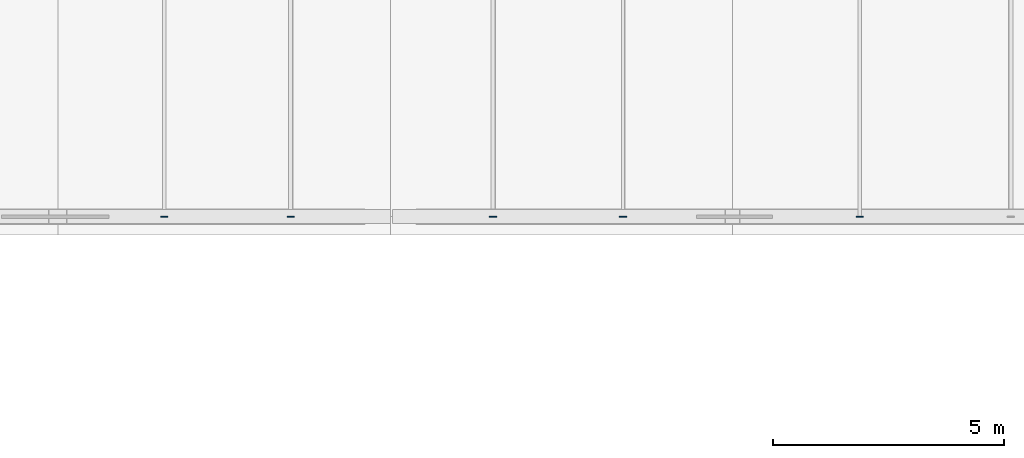
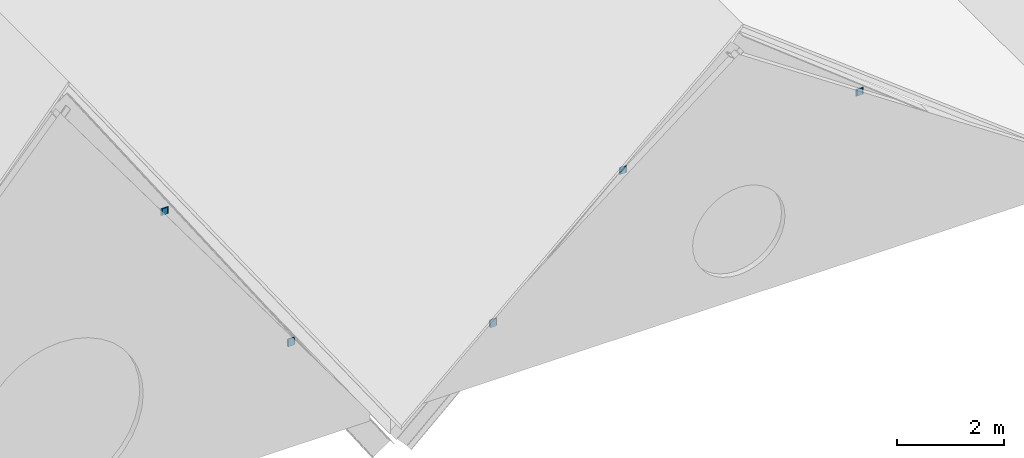
# One storey, part 49 of 64: 10 plates.
"""IFC4 building model written with IfcOpenShell, lengths in metres."""

import ifcopenshell
import ifcopenshell.guid

model = None  # the IFC model being written
_history = None  # IfcOwnerHistory: only IFC2X3 demands one
_inside = {}  # id of a spatial element -> (the spatial element, [elements in it])
_under = {}  # id of a project, library or spatial element -> (it, [spatial elements below it])
_declared = {}  # id of a project -> (the project, [libraries it declares])
_typed = {}  # id of a type object -> (the type object, [elements of that type])
_made_of = {}  # id of a material, layer set ... -> (it, [elements and type objects made of it])


def new_model(schema):
    """Start an empty IFC model of exactly this schema.

    Asked for "IFC4X3", IfcOpenShell would pick the latest addendum, in which some entities
    have other attributes; the version numbers below select the first issue.
    IFC2X3 requires an IfcOwnerHistory on every rooted entity: one is made here for all.
    """
    global model, _history
    if schema == "IFC4X3":
        model = ifcopenshell.file(schema_version=(4, 3, 0, 0))
    else:
        model = ifcopenshell.file(schema=schema)
    _inside.clear()
    _under.clear()
    _declared.clear()
    _typed.clear()
    _made_of.clear()
    _history = None
    if model.schema == "IFC2X3":
        org = make("IfcOrganization", Name="unknown")
        user = make(
            "IfcPersonAndOrganization",
            ThePerson=make("IfcPerson", FamilyName="unknown"),
            TheOrganization=org,
        )
        app = make(
            "IfcApplication",
            ApplicationDeveloper=org,
            Version="unknown",
            ApplicationFullName="unknown",
            ApplicationIdentifier="unknown",
        )
        _history = make(
            "IfcOwnerHistory",
            OwningUser=user,
            OwningApplication=app,
            ChangeAction="ADDED",
            CreationDate=0,
        )
    return model


def make(cls, **values):
    """One entity of the class cls with the attributes given. An attribute that is None is left unset."""
    return model.create_entity(
        cls, **{name: value for name, value in values.items() if value is not None}
    )


def rooted(cls, **values):
    """An entity with a GlobalId (a new one), such as an element, a storey or a relation."""
    return make(cls, GlobalId=ifcopenshell.guid.new(), OwnerHistory=_history, **values)


def si_unit(unit_type, name, prefix=None):
    """IfcSIUnit, for example si_unit("LENGTHUNIT", "METRE", prefix="MILLI")."""
    return make("IfcSIUnit", UnitType=unit_type, Prefix=prefix, Name=name)


def assignment(units):
    """IfcUnitAssignment: the units of a project."""
    return None if units is None else make("IfcUnitAssignment", Units=units)


def point(xyz):
    """IfcCartesianPoint."""
    return None if xyz is None else make("IfcCartesianPoint", Coordinates=xyz)


def direction(xyz):
    """IfcDirection."""
    return None if xyz is None else make("IfcDirection", DirectionRatios=xyz)


def frame(location, z_axis=None, x_axis=None):
    """IfcAxis2Placement3D, a coordinate frame: its origin and axes. An axis left out is left unset."""
    return make(
        "IfcAxis2Placement3D",
        Location=point(location),
        Axis=direction(z_axis),
        RefDirection=direction(x_axis),
    )


def frame_2d(location, x_axis=None):
    """IfcAxis2Placement2D, a coordinate frame in the plane: its origin and x axis."""
    return make(
        "IfcAxis2Placement2D", Location=point(location), RefDirection=direction(x_axis)
    )


def origin():
    """The frame at (0, 0, 0) with its axes left unset."""
    return frame((0.0, 0.0, 0.0))


def origin_2d():
    """The frame at (0, 0) in the plane with its x axis left unset."""
    return frame_2d((0.0, 0.0))


def place(relative_to, where):
    """IfcLocalPlacement: puts the frame where relative to a parent placement (None: the world)."""
    return make(
        "IfcLocalPlacement", PlacementRelTo=relative_to, RelativePlacement=where
    )


def context(
    kind, dimensions, precision=None, world=None, true_north=None, identifier=None
):
    """IfcGeometricRepresentationContext, for example the 3D "Model" context."""
    return make(
        "IfcGeometricRepresentationContext",
        ContextIdentifier=identifier,
        ContextType=kind,
        CoordinateSpaceDimension=dimensions,
        Precision=precision,
        WorldCoordinateSystem=world,
        TrueNorth=true_north,
    )


def subcontext(parent, identifier, kind, view, scale=None):
    """IfcGeometricRepresentationSubContext, for example "Body" below "Model"."""
    return make(
        "IfcGeometricRepresentationSubContext",
        ContextIdentifier=identifier,
        ContextType=kind,
        ParentContext=parent,
        TargetScale=scale,
        TargetView=view,
    )


def project(units=None, contexts=None):
    """IfcProject with its units and contexts."""
    return rooted(
        "IfcProject",
        Name="project",
        RepresentationContexts=contexts,
        UnitsInContext=assignment(units),
    )


def spatial(cls, under=None, at=None, **own):
    """A site, building, storey or space (cls), placed at a placement, below another one or the project."""
    s = rooted(cls, ObjectPlacement=at, **own)
    if under is not None:
        _under.setdefault(under.id(), (under, []))[1].append(s)
    return s


def profile(cls, at=None, kind="AREA", **sizes):
    """A parametric profile (cls). Its sizes go by their IFC names, for example OverallWidth=200.0."""
    return make(cls, ProfileType=kind, Position=at, **sizes)


def rectangle(**sizes):
    """IfcRectangleProfileDef."""
    return profile("IfcRectangleProfileDef", **sizes)


def extrude(swept, where, along, depth):
    """IfcExtrudedAreaSolid: the profile swept, set in the frame where, extruded along a direction by depth."""
    return make(
        "IfcExtrudedAreaSolid",
        SweptArea=swept,
        Position=where,
        ExtrudedDirection=direction(along),
        Depth=depth,
    )


def shape(context_of_items, identifier, shape_type, items):
    """IfcShapeRepresentation: the items that make up one representation, for example the "Body"."""
    return make(
        "IfcShapeRepresentation",
        ContextOfItems=context_of_items,
        RepresentationIdentifier=identifier,
        RepresentationType=shape_type,
        Items=items,
    )


def material(Name=None, Category=None):
    """IfcMaterial."""
    return make("IfcMaterial", Name=Name, Category=Category)


def layer(
    of_material, thickness, ventilated=None, Name=None, Category=None, Priority=None
):
    """IfcMaterialLayer: one layer of a wall or slab, of a material (None: an air gap)."""
    return make(
        "IfcMaterialLayer",
        Material=of_material,
        LayerThickness=thickness,
        IsVentilated=ventilated,
        Name=Name,
        Category=Category,
        Priority=Priority,
    )


def layer_set(layers, Name=None):
    """IfcMaterialLayerSet."""
    return make("IfcMaterialLayerSet", MaterialLayers=layers, LayerSetName=Name)


def made_of(thing, what):
    """Note that an element or type object is made of a material, layer set ...; save() writes the relation."""
    if what is not None:
        _made_of.setdefault(what.id(), (what, []))[1].append(thing)
    return thing


def type_object(cls, material=None, **own):
    """A type object (cls), such as IfcWallType, which elements share."""
    return made_of(rooted(cls, **own), material)


def element(
    cls,
    number,
    at=None,
    inside=None,
    cuts=None,
    type_object=None,
    material=None,
    context=None,
    identifier="Body",
    shape_type=None,
    held_by="IfcProductDefinitionShape",
    body=None,
    shapes=None,
    **own,
):
    """One element of the class cls, such as IfcWall. Its Tag is "e" and its number.

    at: its placement. inside: the storey or other place that contains it. cuts: it is an
    opening in that element (IfcRelVoidsElement). A single representation is given by context,
    identifier, shape_type and body (its items); several are given by shapes. held_by: the class
    of the entity that holds the representations. save() writes the other relations.
    """
    e = rooted(cls, Tag="e%d" % number, ObjectPlacement=at, **own)
    if body is not None:
        shapes = [shape(context, identifier, shape_type, body)]
    if shapes is not None:
        e.Representation = make(held_by, Representations=shapes)
    if inside is not None:
        _inside.setdefault(inside.id(), (inside, []))[1].append(e)
    if cuts is not None:
        rooted(
            "IfcRelVoidsElement", RelatingBuildingElement=cuts, RelatedOpeningElement=e
        )
    if type_object is not None:
        _typed.setdefault(type_object.id(), (type_object, []))[1].append(e)
    return made_of(e, material)


def aggregate(whole, parts):
    """IfcRelAggregates: a whole, such as a stair, and the parts it consists of."""
    return rooted("IfcRelAggregates", RelatingObject=whole, RelatedObjects=parts)


def save(model, path):
    """Write the relations noted so far, then the file.

    IfcRelAggregates (storeys below a building ...), IfcRelContainedInSpatialStructure (elements
    in a storey), IfcRelDefinesByType, IfcRelAssociatesMaterial and IfcRelDeclares: one each for
    every whole, place, type object, material and project.
    """
    for whole, parts in _under.values():
        aggregate(whole, parts)
    for where, things in _inside.values():
        rooted(
            "IfcRelContainedInSpatialStructure",
            RelatedElements=things,
            RelatingStructure=where,
        )
    for kind, things in _typed.values():
        rooted("IfcRelDefinesByType", RelatedObjects=things, RelatingType=kind)
    for what, things in _made_of.values():
        rooted("IfcRelAssociatesMaterial", RelatedObjects=things, RelatingMaterial=what)
    for by, libraries in _declared.values():
        rooted("IfcRelDeclares", RelatingContext=by, RelatedDefinitions=libraries)
    model.write(path)


model = new_model("IFC4")

# Units and contexts
model_context = context("Model", 3, precision=1e-05, world=origin(), true_north=direction((0.0, 1.0)))
body_context = subcontext(model_context, "Body", "Model", "MODEL_VIEW")
ifc_project = project(units=[si_unit("LENGTHUNIT", "METRE"), si_unit("AREAUNIT", "SQUARE_METRE"), si_unit("VOLUMEUNIT", "CUBIC_METRE"), si_unit("PLANEANGLEUNIT", "RADIAN"), si_unit("MASSUNIT", "GRAM", prefix="KILO")], contexts=[model_context])

# Site, building, storey
site_placement = place(None, origin())
site = spatial("IfcSite", under=ifc_project, at=site_placement, CompositionType="ELEMENT")
building_placement = place(site_placement, origin())
building = spatial("IfcBuilding", under=site, at=building_placement, Name="Zhaolan Boulevard Law Courts", CompositionType="ELEMENT")
storey_placement = place(building_placement, frame((0.0, 0.0, 20.39990234375)))
storey = spatial("IfcBuildingStorey", under=building, at=storey_placement, Name="L04", CompositionType="ELEMENT", Elevation=20.39990234375)

# Plates
ifc_material = material(Name="Structural steel Q355B", Category="steel")
ifc_layer = layer(ifc_material, 0.02001953125)
ifc_layer_set = layer_set([ifc_layer])
plate_type = type_object("IfcPlateType", Name="END CAP PLATE 20", PredefinedType="SHEET", material=ifc_layer_set)
for number, where, z_axis, x_axis, name in (
    (1, (129.840087890625, 62.0, 2.4189453125), (0.0, 0.0, 1.0), (1.0, 0.0, 0.0), "Purlin End-Cap Plate ECP-GPR5ES"),
    (2, (127.10400390625, 62.0, 6.37109375), (0.0, 0.0, 1.0), (1.0, 0.0, 0.0), "Purlin End-Cap Plate ECP-GPR5ES"),
    (3, (134.219970703125, 62.0, 1.3251953125), (0.0, 0.0, 1.0), (1.0, 0.0, 0.0), "Purlin End-Cap Plate ECP-GPR6WS"),
    (4, (137.031982421875, 62.0, 3.8330078125), (0.0, 0.0, 1.0), (1.0, 0.0, 0.0), "Purlin End-Cap Plate ECP-GPR6WS"),
    (5, (142.152099609375, 62.0, 3.8330078125), (0.0, 0.0, 1.0), (1.0, 0.0, 0.0), "Purlin End-Cap Plate ECP-GPR6ES"),
):
    element("IfcPlate", number, at=place(storey_placement, frame(where, z_axis=z_axis, x_axis=x_axis)), inside=storey, type_object=plate_type, Name=name, PredefinedType="SHEET", context=body_context, shape_type="SweptSolid", body=[
        extrude(rectangle(XDim=0.159912109375, YDim=0.02001953125, at=origin_2d()), origin(), (0.0, 0.0, 1.0), 0.159912109375),
    ])
plate_1_placement = place(storey_placement, frame((129.840087890625, 61.991943359375, 2.4091796875), z_axis=(0.0, 0.0, 1.0), x_axis=(0.0, 1.0, 0.0)))
element("IfcPlate", 6, at=plate_1_placement, inside=storey, type_object=plate_type, Name="Hollow Section End-Cap Plate ECP-1459", PredefinedType="SHEET", context=body_context, shape_type="SweptSolid", body=[
    extrude(rectangle(XDim=0.02001953125, YDim=0.1298828125, at=origin_2d()), origin(), (0.0, 0.0, 1.0), 0.179931640625),
])
plate_2_placement = place(storey_placement, frame((127.10400390625, 61.991943359375, 6.376220703125), z_axis=(0.0, 0.0, 1.0), x_axis=(0.0, 1.0, 0.0)))
element("IfcPlate", 7, at=plate_2_placement, inside=storey, type_object=plate_type, Name="Hollow Section End-Cap Plate ECP-1463", PredefinedType="SHEET", context=body_context, shape_type="SweptSolid", body=[
    extrude(rectangle(XDim=0.02001953125, YDim=0.110107421875, at=origin_2d()), origin(), (0.0, 0.0, 1.0), 0.14990234375),
])
plate_3_placement = place(storey_placement, frame((134.219970703125, 61.991943359375, 1.31494140625), z_axis=(0.0, 0.0, 1.0), x_axis=(0.0, 1.0, 0.0)))
element("IfcPlate", 8, at=plate_3_placement, inside=storey, type_object=plate_type, Name="Hollow Section End-Cap Plate ECP-1465", PredefinedType="SHEET", context=body_context, shape_type="SweptSolid", body=[
    extrude(rectangle(XDim=0.02001953125, YDim=0.1298828125, at=origin_2d()), origin(), (0.0, 0.0, 1.0), 0.179931640625),
])
for number, where, z_axis, x_axis, name in (
    (9, (137.031982421875, 61.991943359375, 3.838134765625), (0.0, 0.0, 1.0), (0.0, 1.0, 0.0), "Hollow Section End-Cap Plate ECP-1469"),
    (10, (142.152099609375, 61.991943359375, 3.838134765625), (0.0, 0.0, 1.0), (0.0, 1.0, 0.0), "Hollow Section End-Cap Plate ECP-1471"),
):
    element("IfcPlate", number, at=place(storey_placement, frame(where, z_axis=z_axis, x_axis=x_axis)), inside=storey, type_object=plate_type, Name=name, PredefinedType="SHEET", context=body_context, shape_type="SweptSolid", body=[
        extrude(rectangle(XDim=0.02001953125, YDim=0.110107421875, at=origin_2d()), origin(), (0.0, 0.0, 1.0), 0.14990234375),
    ])

save(model, "model.ifc")
